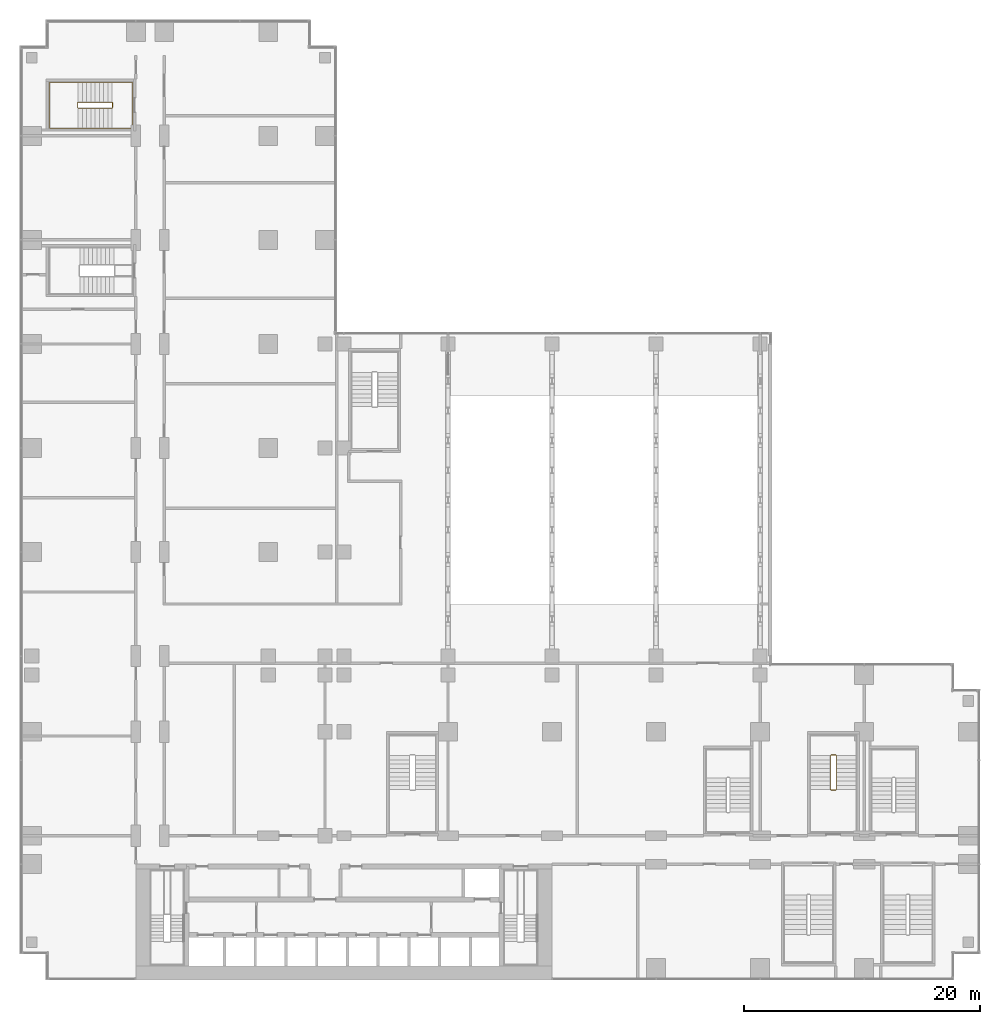
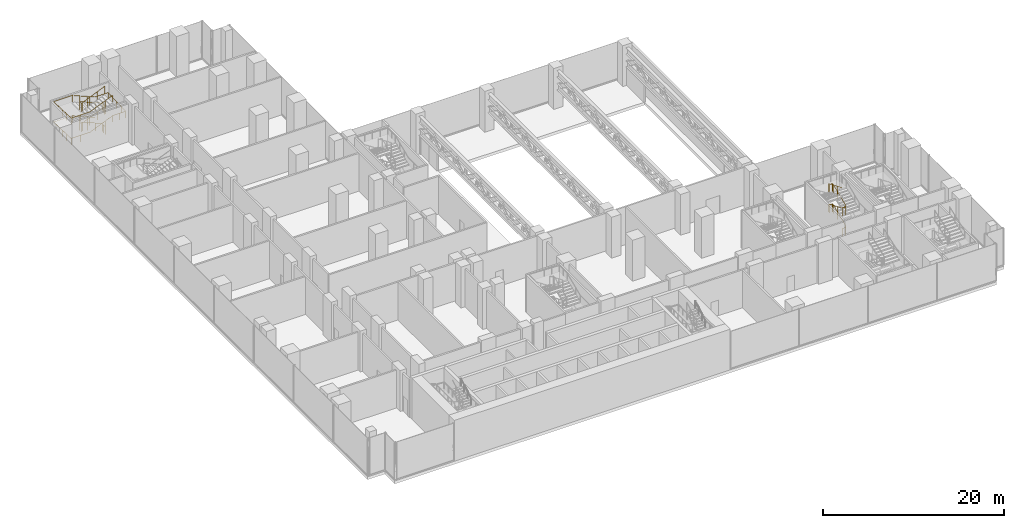
# One storey, part 30 of 30: 3 railings.
"""IFC4 building model written with IfcOpenShell, lengths in metres."""

from ifc_helpers import new_model, si_unit, direction, frame, origin, origin_2d, place, context, subcontext, project, spatial, circle, extrude, material, type_object, element, save


model = new_model("IFC4")

# Units and contexts
model_context = context("Model", 3, precision=1e-05, world=origin(), true_north=direction((0.0, 1.0)))
body_context = subcontext(model_context, "Body", "Model", "MODEL_VIEW")
ifc_project = project(units=[si_unit("LENGTHUNIT", "METRE"), si_unit("AREAUNIT", "SQUARE_METRE"), si_unit("VOLUMEUNIT", "CUBIC_METRE"), si_unit("PLANEANGLEUNIT", "RADIAN"), si_unit("MASSUNIT", "GRAM", prefix="KILO")], contexts=[model_context])

# Site, building, storey
site_placement = place(None, origin())
site = spatial("IfcSite", under=ifc_project, at=site_placement, CompositionType="ELEMENT")
building_placement = place(site_placement, origin())
building = spatial("IfcBuilding", under=site, at=building_placement, Name="Kemantara Hotel Tower", CompositionType="ELEMENT")
storey_placement = place(building_placement, frame((0.0, 0.0, 23.5)))
storey = spatial("IfcBuildingStorey", under=building, at=storey_placement, Name="L04", CompositionType="ELEMENT", Elevation=23.5)

# Railings
ifc_material = material(Name="Stainless steel balustrade", Category="steel")
railing_type_1 = type_object("IfcRailingType", Name="Stair guard 1100 mm", PredefinedType="GUARDRAIL", material=ifc_material)
railing_1_placement = place(storey_placement, frame((7.800048828125, 73.75, 5.5)))
element("IfcRailing", 1, at=railing_1_placement, inside=storey, type_object=railing_type_1, Name="L04 ST6 stair guard 1", PredefinedType="GUARDRAIL", context=body_context, shape_type="SweptSolid", body=[
    extrude(circle(Radius=0.02392578125, at=origin_2d()), frame((0.0, 0.0, 1.076171875), z_axis=(-0.920547772064, 0.0, -0.390630003133), x_axis=(0.0, -1.0, 0.0)), (0.0, 0.0, 1.0), 3.128662109375),
    extrude(circle(Radius=0.02392578125, at=origin_2d()), frame((-2.880126953125, 0.0, -0.14599609375), z_axis=(-0.295833358201, 0.297283521722, -0.907802363892), x_axis=(-0.708833529934, -0.705375805398, 0.0)), (0.0, 0.0, 1.0), 0.16845703125),
    extrude(circle(Radius=0.02392578125, at=origin_2d()), frame((-2.929931640625, 0.050048828125, -0.298828125), z_axis=(0.0, 1.0, 0.0), x_axis=(-1.0, 0.0, 0.0)), (0.0, 0.0, 1.0), 0.39990234375),
    extrude(circle(Radius=0.02392578125, at=origin_2d()), frame((-2.929931640625, 0.449951171875, -0.298828125), z_axis=(0.705375805398, 0.708833529934, 0.0), x_axis=(-0.708833529934, 0.705375805398, 0.0)), (0.0, 0.0, 1.0), 0.070556640625),
    extrude(circle(Radius=0.02392578125, at=origin_2d()), frame((-2.880126953125, 0.5, -0.298828125), z_axis=(0.920547772064, 0.0, -0.390630003133), x_axis=(0.0, 1.0, 0.0)), (0.0, 0.0, 1.0), 3.128662109375),
    extrude(circle(Radius=0.02392578125, at=origin_2d()), frame((0.0, 0.5, -1.52099609375), z_axis=(0.104742586301, -0.941661397821, -0.319848092803), x_axis=(0.993870574751, 0.110549901152, 0.0)), (0.0, 0.0, 1.0), 0.477783203125),
    extrude(circle(Radius=0.02392578125, at=origin_2d()), frame((0.050048828125, 0.050048828125, -1.673828125), z_axis=(0.0, 1.0, 0.0), x_axis=(-1.0, 0.0, 0.0)), (0.0, 0.0, 1.0), 0.39990234375),
    extrude(circle(Radius=0.02392578125, at=origin_2d()), frame((0.050048828125, 0.449951171875, -1.673828125), z_axis=(-0.110549901152, -0.993870574751, 0.0), x_axis=(0.993870574751, -0.110549901152, 0.0)), (0.0, 0.0, 1.0), 0.45263671875),
    extrude(circle(Radius=0.02392578125, at=origin_2d()), frame((0.0, 0.0, -1.673828125), z_axis=(-0.920547772064, 0.0, -0.390630003133), x_axis=(0.0, -1.0, 0.0)), (0.0, 0.0, 1.0), 3.128662109375),
    extrude(circle(Radius=0.02392578125, at=origin_2d()), frame((-2.880126953125, 0.0, -2.89599609375), z_axis=(-0.295833358201, 0.297283521722, -0.907802363892), x_axis=(-0.708833529934, -0.705375805398, 0.0)), (0.0, 0.0, 1.0), 0.16845703125),
    extrude(circle(Radius=0.02392578125, at=origin_2d()), frame((-2.929931640625, 0.050048828125, -3.048828125), z_axis=(0.0, 1.0, 0.0), x_axis=(-1.0, 0.0, 0.0)), (0.0, 0.0, 1.0), 0.39990234375),
    extrude(circle(Radius=0.02392578125, at=origin_2d()), frame((-2.929931640625, 0.449951171875, -3.048828125), z_axis=(0.705375805398, 0.708833529934, 0.0), x_axis=(-0.708833529934, 0.705375805398, 0.0)), (0.0, 0.0, 1.0), 0.070556640625),
    extrude(circle(Radius=0.02392578125, at=origin_2d()), frame((-2.880126953125, 0.5, -3.048828125), z_axis=(0.920547772064, 0.0, -0.390630003133), x_axis=(0.0, 1.0, 0.0)), (0.0, 0.0, 1.0), 3.128662109375),
    extrude(circle(Radius=0.02392578125, at=origin_2d()), frame((0.0, 0.5, -4.27099609375), z_axis=(0.297155754911, -0.297155754911, -0.90741220768), x_axis=(0.707106781187, 0.707106781187, 0.0)), (0.0, 0.0, 1.0), 0.16845703125),
    extrude(circle(Radius=0.02392578125, at=origin_2d()), frame((0.050048828125, 0.449951171875, -4.423828125), z_axis=(0.0, -1.0, 0.0), x_axis=(1.0, 0.0, 0.0)), (0.0, 0.0, 1.0), 0.39990234375),
    extrude(circle(Radius=0.02099609375, at=origin_2d()), origin(), (0.0, 0.0, 1.0), 1.052001953125),
    extrude(circle(Radius=0.02099609375, at=origin_2d()), frame((-0.9599609375, 0.0, -0.407470703125)), (0.0, 0.0, 1.0), 1.052001953125),
    extrude(circle(Radius=0.02099609375, at=origin_2d()), frame((-1.920166015625, 0.0, -0.814697265625)), (0.0, 0.0, 1.0), 1.052001953125),
    extrude(circle(Radius=0.02099609375, at=origin_2d()), frame((-2.880126953125, 0.0, -1.22216796875)), (0.0, 0.0, 1.0), 1.052001953125),
    extrude(circle(Radius=0.02099609375, at=origin_2d()), frame((-2.929931640625, 0.050048828125, -1.375)), (0.0, 0.0, 1.0), 1.052001953125),
    extrude(circle(Radius=0.02099609375, at=origin_2d()), frame((-2.929931640625, 0.449951171875, -1.375)), (0.0, 0.0, 1.0), 1.052001953125),
    extrude(circle(Radius=0.02099609375, at=origin_2d()), frame((-2.880126953125, 0.5, -1.375)), (0.0, 0.0, 1.0), 1.052001953125),
    extrude(circle(Radius=0.02099609375, at=origin_2d()), frame((-1.920166015625, 0.5, -1.782470703125)), (0.0, 0.0, 1.0), 1.052001953125),
    extrude(circle(Radius=0.02099609375, at=origin_2d()), frame((-0.9599609375, 0.5, -2.189697265625)), (0.0, 0.0, 1.0), 1.052001953125),
    extrude(circle(Radius=0.02099609375, at=origin_2d()), frame((0.0, 0.5, -2.59716796875)), (0.0, 0.0, 1.0), 1.052001953125),
    extrude(circle(Radius=0.02099609375, at=origin_2d()), frame((0.050048828125, 0.050048828125, -2.75)), (0.0, 0.0, 1.0), 1.052001953125),
    extrude(circle(Radius=0.02099609375, at=origin_2d()), frame((0.050048828125, 0.449951171875, -2.75)), (0.0, 0.0, 1.0), 1.052001953125),
    extrude(circle(Radius=0.02099609375, at=origin_2d()), frame((0.0, 0.0, -2.75)), (0.0, 0.0, 1.0), 1.052001953125),
    extrude(circle(Radius=0.02099609375, at=origin_2d()), frame((-0.9599609375, 0.0, -3.157470703125)), (0.0, 0.0, 1.0), 1.052001953125),
    extrude(circle(Radius=0.02099609375, at=origin_2d()), frame((-1.920166015625, 0.0, -3.564697265625)), (0.0, 0.0, 1.0), 1.052001953125),
    extrude(circle(Radius=0.02099609375, at=origin_2d()), frame((-2.880126953125, 0.0, -3.97216796875)), (0.0, 0.0, 1.0), 1.052001953125),
    extrude(circle(Radius=0.02099609375, at=origin_2d()), frame((-2.929931640625, 0.050048828125, -4.125)), (0.0, 0.0, 1.0), 1.052001953125),
    extrude(circle(Radius=0.02099609375, at=origin_2d()), frame((-2.929931640625, 0.449951171875, -4.125)), (0.0, 0.0, 1.0), 1.052001953125),
    extrude(circle(Radius=0.02099609375, at=origin_2d()), frame((-2.880126953125, 0.5, -4.125)), (0.0, 0.0, 1.0), 1.052001953125),
    extrude(circle(Radius=0.02099609375, at=origin_2d()), frame((-1.920166015625, 0.5, -4.532470703125)), (0.0, 0.0, 1.0), 1.052001953125),
    extrude(circle(Radius=0.02099609375, at=origin_2d()), frame((-0.9599609375, 0.5, -4.939697265625)), (0.0, 0.0, 1.0), 1.052001953125),
    extrude(circle(Radius=0.02099609375, at=origin_2d()), frame((0.0, 0.5, -5.34716796875)), (0.0, 0.0, 1.0), 1.052001953125),
    extrude(circle(Radius=0.02099609375, at=origin_2d()), frame((0.050048828125, 0.449951171875, -5.5)), (0.0, 0.0, 1.0), 1.052001953125),
    extrude(circle(Radius=0.02099609375, at=origin_2d()), frame((0.050048828125, 0.050048828125, -5.5)), (0.0, 0.0, 1.0), 1.052001953125),
])
railing_2_placement = place(storey_placement, frame((68.550048828125, 16.10009765625, 5.5)))
element("IfcRailing", 2, at=railing_2_placement, inside=storey, type_object=railing_type_1, Name="L04 PS1 stair guard 1", PredefinedType="GUARDRAIL", context=body_context, shape_type="SweptSolid", body=[
    extrude(circle(Radius=0.02392578125, at=origin_2d()), frame((0.0, 0.0, 1.076171875), z_axis=(0.0, 0.920535863683, -0.390658064903), x_axis=(-1.0, 0.0, 0.0)), (0.0, 0.0, 1.0), 3.12841796875),
    extrude(circle(Radius=0.02392578125, at=origin_2d()), frame((0.0, 2.8798828125, -0.14599609375), z_axis=(0.297155754911, 0.297155754911, -0.90741220768), x_axis=(-0.707106781187, 0.707106781187, 0.0)), (0.0, 0.0, 1.0), 0.16845703125),
    extrude(circle(Radius=0.02392578125, at=origin_2d()), frame((0.050048828125, 2.929931640625, -0.298828125), z_axis=(1.0, 0.0, 0.0), x_axis=(0.0, 1.0, 0.0)), (0.0, 0.0, 1.0), 0.39990234375),
    extrude(circle(Radius=0.02392578125, at=origin_2d()), frame((0.449951171875, 2.929931640625, -0.298828125), z_axis=(0.707106781187, -0.707106781187, 0.0), x_axis=(0.707106781187, 0.707106781187, 0.0)), (0.0, 0.0, 1.0), 0.07080078125),
    extrude(circle(Radius=0.02392578125, at=origin_2d()), frame((0.5, 2.8798828125, -0.298828125), z_axis=(0.0, -0.920535863683, -0.390658064903), x_axis=(1.0, 0.0, 0.0)), (0.0, 0.0, 1.0), 3.12841796875),
    extrude(circle(Radius=0.02392578125, at=origin_2d()), frame((0.5, 0.0, -1.52099609375), z_axis=(-0.941661397821, -0.104742586301, -0.319848092803), x_axis=(0.110549901152, -0.993870574751, 0.0)), (0.0, 0.0, 1.0), 0.477783203125),
    extrude(circle(Radius=0.02392578125, at=origin_2d()), frame((0.050048828125, -0.050048828125, -1.673828125), z_axis=(1.0, 0.0, 0.0), x_axis=(0.0, 1.0, 0.0)), (0.0, 0.0, 1.0), 0.39990234375),
    extrude(circle(Radius=0.02392578125, at=origin_2d()), frame((0.449951171875, -0.050048828125, -1.673828125), z_axis=(-0.993870574751, 0.110549901152, 0.0), x_axis=(-0.110549901152, -0.993870574751, 0.0)), (0.0, 0.0, 1.0), 0.45263671875),
    extrude(circle(Radius=0.02392578125, at=origin_2d()), frame((0.0, 0.0, -1.673828125), z_axis=(0.0, 0.920535863683, -0.390658064903), x_axis=(-1.0, 0.0, 0.0)), (0.0, 0.0, 1.0), 3.12841796875),
    extrude(circle(Radius=0.02392578125, at=origin_2d()), frame((0.0, 2.8798828125, -2.89599609375), z_axis=(0.297155754911, 0.297155754911, -0.90741220768), x_axis=(-0.707106781187, 0.707106781187, 0.0)), (0.0, 0.0, 1.0), 0.16845703125),
    extrude(circle(Radius=0.02392578125, at=origin_2d()), frame((0.050048828125, 2.929931640625, -3.048828125), z_axis=(1.0, 0.0, 0.0), x_axis=(0.0, 1.0, 0.0)), (0.0, 0.0, 1.0), 0.39990234375),
    extrude(circle(Radius=0.02392578125, at=origin_2d()), frame((0.449951171875, 2.929931640625, -3.048828125), z_axis=(0.707106781187, -0.707106781187, 0.0), x_axis=(0.707106781187, 0.707106781187, 0.0)), (0.0, 0.0, 1.0), 0.07080078125),
    extrude(circle(Radius=0.02392578125, at=origin_2d()), frame((0.5, 2.8798828125, -3.048828125), z_axis=(0.0, -0.920535863683, -0.390658064903), x_axis=(1.0, 0.0, 0.0)), (0.0, 0.0, 1.0), 3.12841796875),
    extrude(circle(Radius=0.02392578125, at=origin_2d()), frame((0.5, 0.0, -4.27099609375), z_axis=(-0.297155754911, -0.297155754911, -0.90741220768), x_axis=(0.707106781187, -0.707106781187, 0.0)), (0.0, 0.0, 1.0), 0.16845703125),
    extrude(circle(Radius=0.02392578125, at=origin_2d()), frame((0.449951171875, -0.050048828125, -4.423828125), z_axis=(-1.0, 0.0, 0.0), x_axis=(0.0, -1.0, 0.0)), (0.0, 0.0, 1.0), 0.39990234375),
    extrude(circle(Radius=0.02099609375, at=origin_2d()), origin(), (0.0, 0.0, 1.0), 1.052001953125),
    extrude(circle(Radius=0.02099609375, at=origin_2d()), frame((0.0, 0.9599609375, -0.407470703125)), (0.0, 0.0, 1.0), 1.052001953125),
    extrude(circle(Radius=0.02099609375, at=origin_2d()), frame((0.0, 1.919921875, -0.814697265625)), (0.0, 0.0, 1.0), 1.052001953125),
    extrude(circle(Radius=0.02099609375, at=origin_2d()), frame((0.0, 2.8798828125, -1.22216796875)), (0.0, 0.0, 1.0), 1.052001953125),
    extrude(circle(Radius=0.02099609375, at=origin_2d()), frame((0.050048828125, 2.929931640625, -1.375)), (0.0, 0.0, 1.0), 1.052001953125),
    extrude(circle(Radius=0.02099609375, at=origin_2d()), frame((0.449951171875, 2.929931640625, -1.375)), (0.0, 0.0, 1.0), 1.052001953125),
    extrude(circle(Radius=0.02099609375, at=origin_2d()), frame((0.5, 2.8798828125, -1.375)), (0.0, 0.0, 1.0), 1.052001953125),
    extrude(circle(Radius=0.02099609375, at=origin_2d()), frame((0.5, 1.919921875, -1.782470703125)), (0.0, 0.0, 1.0), 1.052001953125),
    extrude(circle(Radius=0.02099609375, at=origin_2d()), frame((0.5, 0.9599609375, -2.189697265625)), (0.0, 0.0, 1.0), 1.052001953125),
    extrude(circle(Radius=0.02099609375, at=origin_2d()), frame((0.5, 0.0, -2.59716796875)), (0.0, 0.0, 1.0), 1.052001953125),
    extrude(circle(Radius=0.02099609375, at=origin_2d()), frame((0.050048828125, -0.050048828125, -2.75)), (0.0, 0.0, 1.0), 1.052001953125),
    extrude(circle(Radius=0.02099609375, at=origin_2d()), frame((0.449951171875, -0.050048828125, -2.75)), (0.0, 0.0, 1.0), 1.052001953125),
    extrude(circle(Radius=0.02099609375, at=origin_2d()), frame((0.0, 0.0, -2.75)), (0.0, 0.0, 1.0), 1.052001953125),
    extrude(circle(Radius=0.02099609375, at=origin_2d()), frame((0.0, 0.9599609375, -3.157470703125)), (0.0, 0.0, 1.0), 1.052001953125),
    extrude(circle(Radius=0.02099609375, at=origin_2d()), frame((0.0, 1.919921875, -3.564697265625)), (0.0, 0.0, 1.0), 1.052001953125),
    extrude(circle(Radius=0.02099609375, at=origin_2d()), frame((0.0, 2.8798828125, -3.97216796875)), (0.0, 0.0, 1.0), 1.052001953125),
    extrude(circle(Radius=0.02099609375, at=origin_2d()), frame((0.050048828125, 2.929931640625, -4.125)), (0.0, 0.0, 1.0), 1.052001953125),
    extrude(circle(Radius=0.02099609375, at=origin_2d()), frame((0.449951171875, 2.929931640625, -4.125)), (0.0, 0.0, 1.0), 1.052001953125),
    extrude(circle(Radius=0.02099609375, at=origin_2d()), frame((0.5, 2.8798828125, -4.125)), (0.0, 0.0, 1.0), 1.052001953125),
    extrude(circle(Radius=0.02099609375, at=origin_2d()), frame((0.5, 1.919921875, -4.532470703125)), (0.0, 0.0, 1.0), 1.052001953125),
    extrude(circle(Radius=0.02099609375, at=origin_2d()), frame((0.5, 0.9599609375, -4.939697265625)), (0.0, 0.0, 1.0), 1.052001953125),
    extrude(circle(Radius=0.02099609375, at=origin_2d()), frame((0.5, 0.0, -5.34716796875)), (0.0, 0.0, 1.0), 1.052001953125),
    extrude(circle(Radius=0.02099609375, at=origin_2d()), frame((0.449951171875, -0.050048828125, -5.5)), (0.0, 0.0, 1.0), 1.052001953125),
    extrude(circle(Radius=0.02099609375, at=origin_2d()), frame((0.050048828125, -0.050048828125, -5.5)), (0.0, 0.0, 1.0), 1.052001953125),
])
railing_type_2 = type_object("IfcRailingType", Name="Stair handrail 900 mm", PredefinedType="HANDRAIL", material=ifc_material)
railing_3_placement = place(storey_placement, frame((7.800048828125, 75.949951171875, 0.15283203125)))
element("IfcRailing", 3, at=railing_3_placement, inside=storey, type_object=railing_type_2, Name="L04 ST6 stair handrail 1", PredefinedType="HANDRAIL", context=body_context, shape_type="SweptSolid", body=[
    extrude(circle(Radius=0.02392578125, at=origin_2d()), frame((0.0, 0.0, 0.8759765625), z_axis=(-0.920547772064, 0.0, 0.390630003133), x_axis=(0.0, -1.0, 0.0)), (0.0, 0.0, 1.0), 3.128662109375),
    extrude(circle(Radius=0.02392578125, at=origin_2d()), frame((-2.880126953125, 0.0, 2.09814453125), z_axis=(-1.0, 0.0, 0.0), x_axis=(0.0, -1.0, 0.0)), (0.0, 0.0, 1.0), 2.39990234375),
    extrude(circle(Radius=0.02392578125, at=origin_2d()), frame((-5.280029296875, 0.0, 2.09814453125), z_axis=(0.0, -0.999233006938, 0.039158624161), x_axis=(1.0, 0.0, 0.0)), (0.0, 0.0, 1.0), 3.90283203125),
    extrude(circle(Radius=0.02392578125, at=origin_2d()), frame((-5.280029296875, -3.89990234375, 2.2509765625), z_axis=(1.0, 0.0, 0.0), x_axis=(0.0, 1.0, 0.0)), (0.0, 0.0, 1.0), 2.39990234375),
    extrude(circle(Radius=0.02392578125, at=origin_2d()), frame((-2.880126953125, -3.89990234375, 2.2509765625), z_axis=(0.920547772064, 0.0, 0.390630003133), x_axis=(0.0, 1.0, 0.0)), (0.0, 0.0, 1.0), 3.128662109375),
    extrude(circle(Radius=0.02392578125, at=origin_2d()), frame((0.0, -3.89990234375, 3.47314453125), z_axis=(1.0, 0.0, 0.0), x_axis=(0.0, 1.0, 0.0)), (0.0, 0.0, 1.0), 1.679931640625),
    extrude(circle(Radius=0.02392578125, at=origin_2d()), frame((1.679931640625, -3.89990234375, 3.47314453125), z_axis=(0.0, 0.999233006938, 0.039158624161), x_axis=(-1.0, 0.0, 0.0)), (0.0, 0.0, 1.0), 3.90283203125),
    extrude(circle(Radius=0.02392578125, at=origin_2d()), frame((1.679931640625, 0.0, 3.6259765625), z_axis=(-1.0, 0.0, 0.0), x_axis=(0.0, -1.0, 0.0)), (0.0, 0.0, 1.0), 1.679931640625),
    extrude(circle(Radius=0.02392578125, at=origin_2d()), frame((0.0, 0.0, 3.6259765625), z_axis=(-0.920547772064, 0.0, 0.390630003133), x_axis=(0.0, -1.0, 0.0)), (0.0, 0.0, 1.0), 3.128662109375),
    extrude(circle(Radius=0.02392578125, at=origin_2d()), frame((-2.880126953125, 0.0, 4.84814453125), z_axis=(-1.0, 0.0, 0.0), x_axis=(0.0, -1.0, 0.0)), (0.0, 0.0, 1.0), 2.39990234375),
    extrude(circle(Radius=0.02392578125, at=origin_2d()), frame((-5.280029296875, 0.0, 4.84814453125), z_axis=(0.0, -0.999233006938, 0.039158624161), x_axis=(1.0, 0.0, 0.0)), (0.0, 0.0, 1.0), 3.90283203125),
    extrude(circle(Radius=0.02392578125, at=origin_2d()), frame((-5.280029296875, -3.89990234375, 5.0009765625), z_axis=(1.0, 0.0, 0.0), x_axis=(0.0, 1.0, 0.0)), (0.0, 0.0, 1.0), 2.39990234375),
    extrude(circle(Radius=0.02392578125, at=origin_2d()), frame((-2.880126953125, -3.89990234375, 5.0009765625), z_axis=(0.920547772064, 0.0, 0.390630003133), x_axis=(0.0, 1.0, 0.0)), (0.0, 0.0, 1.0), 3.128662109375),
    extrude(circle(Radius=0.02099609375, at=origin_2d()), origin(), (0.0, 0.0, 1.0), 0.851806640625),
    extrude(circle(Radius=0.02099609375, at=origin_2d()), frame((-0.9599609375, 0.0, 0.407470703125)), (0.0, 0.0, 1.0), 0.851806640625),
    extrude(circle(Radius=0.02099609375, at=origin_2d()), frame((-1.920166015625, 0.0, 0.814697265625)), (0.0, 0.0, 1.0), 0.851806640625),
    extrude(circle(Radius=0.02099609375, at=origin_2d()), frame((-2.880126953125, 0.0, 1.22216796875)), (0.0, 0.0, 1.0), 0.851806640625),
    extrude(circle(Radius=0.02099609375, at=origin_2d()), frame((-4.080078125, 0.0, 1.22216796875)), (0.0, 0.0, 1.0), 0.851806640625),
    extrude(circle(Radius=0.02099609375, at=origin_2d()), frame((-5.280029296875, 0.0, 1.22216796875)), (0.0, 0.0, 1.0), 0.851806640625),
    extrude(circle(Radius=0.02099609375, at=origin_2d()), frame((-5.280029296875, -0.97509765625, 1.26025390625)), (0.0, 0.0, 1.0), 0.851806640625),
    extrude(circle(Radius=0.02099609375, at=origin_2d()), frame((-5.280029296875, -1.949951171875, 1.298583984375)), (0.0, 0.0, 1.0), 0.851806640625),
    extrude(circle(Radius=0.02099609375, at=origin_2d()), frame((-5.280029296875, -2.9248046875, 1.3369140625)), (0.0, 0.0, 1.0), 0.851806640625),
    extrude(circle(Radius=0.02099609375, at=origin_2d()), frame((-5.280029296875, -3.89990234375, 1.375)), (0.0, 0.0, 1.0), 0.851806640625),
    extrude(circle(Radius=0.02099609375, at=origin_2d()), frame((-4.080078125, -3.89990234375, 1.375)), (0.0, 0.0, 1.0), 0.851806640625),
    extrude(circle(Radius=0.02099609375, at=origin_2d()), frame((-2.880126953125, -3.89990234375, 1.375)), (0.0, 0.0, 1.0), 0.851806640625),
    extrude(circle(Radius=0.02099609375, at=origin_2d()), frame((-1.920166015625, -3.89990234375, 1.782470703125)), (0.0, 0.0, 1.0), 0.851806640625),
    extrude(circle(Radius=0.02099609375, at=origin_2d()), frame((-0.9599609375, -3.89990234375, 2.189697265625)), (0.0, 0.0, 1.0), 0.851806640625),
    extrude(circle(Radius=0.02099609375, at=origin_2d()), frame((0.0, -3.89990234375, 2.59716796875)), (0.0, 0.0, 1.0), 0.851806640625),
    extrude(circle(Radius=0.02099609375, at=origin_2d()), frame((0.83984375, -3.89990234375, 2.59716796875)), (0.0, 0.0, 1.0), 0.851806640625),
    extrude(circle(Radius=0.02099609375, at=origin_2d()), frame((1.679931640625, -3.89990234375, 2.59716796875)), (0.0, 0.0, 1.0), 0.851806640625),
    extrude(circle(Radius=0.02099609375, at=origin_2d()), frame((1.679931640625, -2.9248046875, 2.63525390625)), (0.0, 0.0, 1.0), 0.851806640625),
    extrude(circle(Radius=0.02099609375, at=origin_2d()), frame((1.679931640625, -1.949951171875, 2.673583984375)), (0.0, 0.0, 1.0), 0.851806640625),
    extrude(circle(Radius=0.02099609375, at=origin_2d()), frame((1.679931640625, -0.97509765625, 2.7119140625)), (0.0, 0.0, 1.0), 0.851806640625),
    extrude(circle(Radius=0.02099609375, at=origin_2d()), frame((1.679931640625, 0.0, 2.75)), (0.0, 0.0, 1.0), 0.851806640625),
    extrude(circle(Radius=0.02099609375, at=origin_2d()), frame((0.83984375, 0.0, 2.75)), (0.0, 0.0, 1.0), 0.851806640625),
    extrude(circle(Radius=0.02099609375, at=origin_2d()), frame((0.0, 0.0, 2.75)), (0.0, 0.0, 1.0), 0.851806640625),
    extrude(circle(Radius=0.02099609375, at=origin_2d()), frame((-0.9599609375, 0.0, 3.157470703125)), (0.0, 0.0, 1.0), 0.851806640625),
    extrude(circle(Radius=0.02099609375, at=origin_2d()), frame((-1.920166015625, 0.0, 3.564697265625)), (0.0, 0.0, 1.0), 0.851806640625),
    extrude(circle(Radius=0.02099609375, at=origin_2d()), frame((-2.880126953125, 0.0, 3.97216796875)), (0.0, 0.0, 1.0), 0.851806640625),
    extrude(circle(Radius=0.02099609375, at=origin_2d()), frame((-4.080078125, 0.0, 3.97216796875)), (0.0, 0.0, 1.0), 0.851806640625),
    extrude(circle(Radius=0.02099609375, at=origin_2d()), frame((-5.280029296875, 0.0, 3.97216796875)), (0.0, 0.0, 1.0), 0.851806640625),
    extrude(circle(Radius=0.02099609375, at=origin_2d()), frame((-5.280029296875, -0.97509765625, 4.01025390625)), (0.0, 0.0, 1.0), 0.851806640625),
    extrude(circle(Radius=0.02099609375, at=origin_2d()), frame((-5.280029296875, -1.949951171875, 4.048583984375)), (0.0, 0.0, 1.0), 0.851806640625),
    extrude(circle(Radius=0.02099609375, at=origin_2d()), frame((-5.280029296875, -2.9248046875, 4.0869140625)), (0.0, 0.0, 1.0), 0.851806640625),
    extrude(circle(Radius=0.02099609375, at=origin_2d()), frame((-5.280029296875, -3.89990234375, 4.125)), (0.0, 0.0, 1.0), 0.851806640625),
    extrude(circle(Radius=0.02099609375, at=origin_2d()), frame((-4.080078125, -3.89990234375, 4.125)), (0.0, 0.0, 1.0), 0.851806640625),
    extrude(circle(Radius=0.02099609375, at=origin_2d()), frame((-2.880126953125, -3.89990234375, 4.125)), (0.0, 0.0, 1.0), 0.851806640625),
    extrude(circle(Radius=0.02099609375, at=origin_2d()), frame((-1.920166015625, -3.89990234375, 4.532470703125)), (0.0, 0.0, 1.0), 0.851806640625),
    extrude(circle(Radius=0.02099609375, at=origin_2d()), frame((-0.9599609375, -3.89990234375, 4.939697265625)), (0.0, 0.0, 1.0), 0.851806640625),
    extrude(circle(Radius=0.02099609375, at=origin_2d()), frame((0.0, -3.89990234375, 5.34716796875)), (0.0, 0.0, 1.0), 0.851806640625),
])

save(model, "model.ifc")
